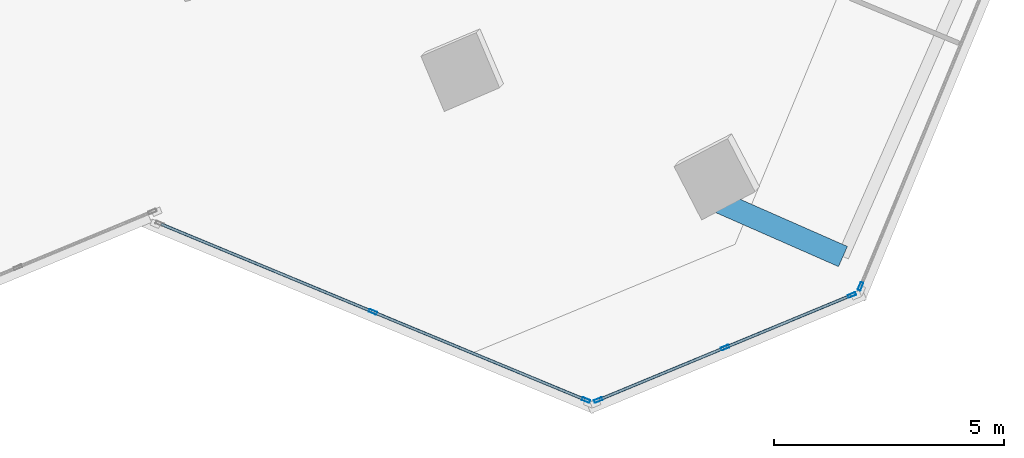
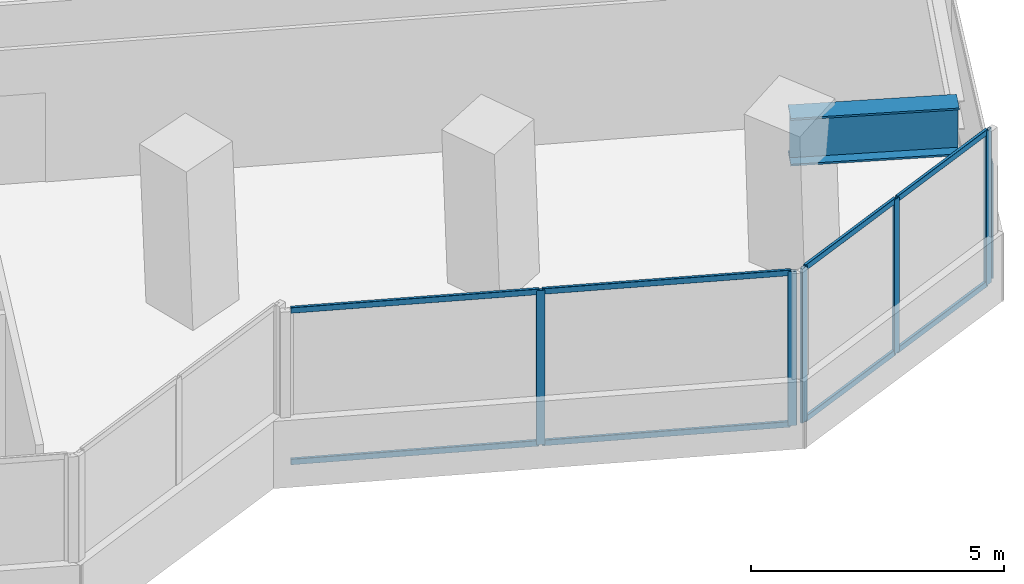
# One storey, part 7 of 23: 14 members, 1 beam, 3 elements without a shape of their own.
"""IFC4 building model written with IfcOpenShell, lengths in metres."""

from ifc_helpers import new_model, si_unit, direction, frame, origin, origin_2d, place, context, subcontext, project, spatial, hollow_rectangle, i_section, extrude, source, transform, mapped, material, material_profile, profile_set, type_object, element, aggregate, save


model = new_model("IFC4")

# Units and contexts
model_context = context("Model", 3, precision=1e-05, world=origin(), true_north=direction((0.0, 1.0)))
body_context = subcontext(model_context, "Body", "Model", "MODEL_VIEW")
ifc_project = project(units=[si_unit("LENGTHUNIT", "METRE"), si_unit("AREAUNIT", "SQUARE_METRE"), si_unit("VOLUMEUNIT", "CUBIC_METRE"), si_unit("PLANEANGLEUNIT", "RADIAN"), si_unit("MASSUNIT", "GRAM", prefix="KILO")], contexts=[model_context])

# Site, building, storey
site_placement = place(None, origin())
site = spatial("IfcSite", under=ifc_project, at=site_placement, CompositionType="ELEMENT")
building_placement = place(site_placement, origin())
building = spatial("IfcBuilding", under=site, at=building_placement, Name="Torre Montelarca", CompositionType="ELEMENT")
storey_placement = place(building_placement, frame((0.0, 0.0, 145.60009765625)))
storey = spatial("IfcBuildingStorey", under=building, at=storey_placement, Name="L32", CompositionType="ELEMENT", Elevation=145.60009765625)

# Beam
ifc_material_1 = material(Name="Steel ASTM A572 Grade 50", Category="steel")
ifc_material_profile_1 = material_profile(ifc_material_1, i_section(OverallWidth=0.47998046875, OverallDepth=1.14990234375, WebThickness=0.02197265625, FlangeThickness=0.044921875, at=origin_2d()), Name="PG1150X480X22X45", Category="steel")
ifc_profile_set_1 = profile_set([ifc_material_profile_1], Name="Steel ASTM A572 Grade 50")
beam_type = type_object("IfcBeamType", Name="BM-CG-PG1400-EXT", PredefinedType="USERDEFINED", material=ifc_profile_set_1)
shared_shape_1 = source(origin(), body_context, "Body", "SweptSolid", [
    extrude(i_section(OverallWidth=0.47998046875, OverallDepth=1.14990234375, WebThickness=0.02197265625, FlangeThickness=0.044921875, at=origin_2d()), origin(), (0.0, 0.0, 1.0), 3.35009765625),
])
beam_placement = place(storey_placement, frame((42.53369140625, 14.004638671875, 3.385009765625), z_axis=(0.915325777926, -0.402714191785, 0.0), x_axis=(0.402714191785, 0.915325777926, 0.0)))
element("IfcBeam", 1, at=beam_placement, inside=storey, type_object=beam_type, Name="L32 Sliding Tray Cantilever Girder East Y=24m (FLR)", ObjectType="CANTILEVER GIRDER", PredefinedType="USERDEFINED", context=body_context, shape_type="MappedRepresentation", body=[
    mapped(shared_shape_1, transform((0.0, 0.0, 0.0), scale=1.0)),
])

# Curtain wall, members
ifc_material_2 = material(Name="Insulated low-E laminated glass", Category="glass")
curtain_wall_type = type_object("IfcCurtainWallType", Name="CW-SYS-Z2", PredefinedType="USERDEFINED", material=ifc_material_2)
curtain_wall_1_placement = place(storey_placement, origin())
curtain_wall_1 = element("IfcCurtainWall", 2, at=curtain_wall_1_placement, inside=storey, type_object=curtain_wall_type, Name="L32 Curtain Wall Run CW-T3-L32-E05-B1", ObjectType="UNITISED GLAZING", PredefinedType="USERDEFINED")
ifc_material_3 = material(Name="Anodised aluminium AA 6063-T6", Category="aluminium")
ifc_material_profile_2 = material_profile(ifc_material_3, hollow_rectangle(XDim=0.06494140625, YDim=0.139892578125, WallThickness=0.00390625, InnerFilletRadius=0.00390625, OuterFilletRadius=0.008056640625, at=origin_2d()), Name="ALU65X140X4", Category="aluminium")
ifc_profile_set_2 = profile_set([ifc_material_profile_2], Name="Anodised aluminium AA 6063-T6")
member_type_1 = type_object("IfcMemberType", Name="CWT-ALU140", PredefinedType="USERDEFINED", material=ifc_profile_set_2)
shared_shape_2 = source(origin(), body_context, "Body", "SweptSolid", [
    extrude(hollow_rectangle(XDim=0.06494140625, YDim=0.139892578125, WallThickness=0.00390625, InnerFilletRadius=0.00390625, OuterFilletRadius=0.008056640625, at=origin_2d()), origin(), (0.0, 0.0, 1.0), 2.918701171875),
])
member_1_placement = place(storey_placement, frame((43.0673828125, 10.689208984375, 0.032470703125), z_axis=(0.923908773038, 0.382612831859, 0.0), x_axis=(-0.382612831859, 0.923908773038, 0.0)))
member_1 = element("IfcMember", 3, at=member_1_placement, type_object=member_type_1, Name="CW transom 2.1", ObjectType="TRANSOM", PredefinedType="USERDEFINED", context=body_context, shape_type="MappedRepresentation", body=[
    mapped(shared_shape_2, transform((0.0, 0.0, 0.0), scale=1.0)),
])
member_2_placement = place(storey_placement, frame((43.0673828125, 10.689208984375, 3.6875), z_axis=(0.923908773038, 0.382612831859, 0.0), x_axis=(-0.382612831859, 0.923908773038, 0.0)))
member_2 = element("IfcMember", 4, at=member_2_placement, type_object=member_type_1, Name="CW transom 2.2", ObjectType="TRANSOM", PredefinedType="USERDEFINED", context=body_context, shape_type="MappedRepresentation", body=[
    mapped(shared_shape_2, transform((0.0, 0.0, 0.0), scale=1.0)),
])
shared_shape_3 = source(origin(), body_context, "Body", "SweptSolid", [
    extrude(hollow_rectangle(XDim=0.06494140625, YDim=0.139892578125, WallThickness=0.00390625, InnerFilletRadius=0.00390625, OuterFilletRadius=0.008056640625, at=origin_2d()), origin(), (0.0, 0.0, 1.0), 2.91845703125),
])
member_3_placement = place(storey_placement, frame((40.31103515625, 9.54736328125, 0.032470703125), z_axis=(0.923866949915, 0.382713808028, 0.0), x_axis=(-0.382713808028, 0.923866949915, 0.0)))
member_3 = element("IfcMember", 5, at=member_3_placement, type_object=member_type_1, Name="CW transom 1.1", ObjectType="TRANSOM", PredefinedType="USERDEFINED", context=body_context, shape_type="MappedRepresentation", body=[
    mapped(shared_shape_3, transform((0.0, 0.0, 0.0), scale=1.0)),
])
member_4_placement = place(storey_placement, frame((40.31103515625, 9.54736328125, 3.6875), z_axis=(0.923866949915, 0.382713808028, 0.0), x_axis=(-0.382713808028, 0.923866949915, 0.0)))
member_4 = element("IfcMember", 6, at=member_4_placement, type_object=member_type_1, Name="CW transom 1.2", ObjectType="TRANSOM", PredefinedType="USERDEFINED", context=body_context, shape_type="MappedRepresentation", body=[
    mapped(shared_shape_3, transform((0.0, 0.0, 0.0), scale=1.0)),
])

curtain_wall_2_placement = place(storey_placement, origin())
curtain_wall_2 = element("IfcCurtainWall", 7, at=curtain_wall_2_placement, inside=storey, type_object=curtain_wall_type, Name="L32 Curtain Wall Run CW-T3-L32-E04-B1", ObjectType="UNITISED GLAZING", PredefinedType="USERDEFINED")
ifc_material_profile_3 = material_profile(ifc_material_3, hollow_rectangle(XDim=0.06494140625, YDim=0.179931640625, WallThickness=0.00390625, InnerFilletRadius=0.00390625, OuterFilletRadius=0.008056640625, at=origin_2d()), Name="ALU65X180X4", Category="aluminium")
ifc_profile_set_3 = profile_set([ifc_material_profile_3], Name="Anodised aluminium AA 6063-T6")
member_type_2 = type_object("IfcMemberType", Name="CWM-ALU180", PredefinedType="MULLION", material=ifc_profile_set_3)
shared_shape_4 = source(origin(), body_context, "Body", "SweptSolid", [
    extrude(hollow_rectangle(XDim=0.06494140625, YDim=0.179931640625, WallThickness=0.00390625, InnerFilletRadius=0.00390625, OuterFilletRadius=0.008056640625, at=origin_2d()), origin(), (0.0, 0.0, 1.0), 3.719970703125),
])
member_5_placement = place(storey_placement, frame((35.382080078125, 11.45361328125, 0.0), z_axis=(0.0, 0.0, 1.0), x_axis=(0.382671218228, 0.923884591678, 0.0)))
member_5 = element("IfcMember", 8, at=member_5_placement, type_object=member_type_2, Name="CW mullion 2", PredefinedType="MULLION", context=body_context, shape_type="MappedRepresentation", body=[
    mapped(shared_shape_4, transform((0.0, 0.0, 0.0), scale=1.0)),
])
member_6_placement = place(storey_placement, frame((40.013916015625, 9.53515625, 0.0), z_axis=(0.0, 0.0, 1.0), x_axis=(0.382671218228, 0.923884591678, 0.0)))
member_6 = element("IfcMember", 9, at=member_6_placement, type_object=member_type_2, Name="CW mullion 3", PredefinedType="MULLION", context=body_context, shape_type="MappedRepresentation", body=[
    mapped(shared_shape_4, transform((0.0, 0.0, 0.0), scale=1.0)),
])

# Member
member_7_placement = place(storey_placement, frame((40.281005859375, 9.53515625, 0.0), z_axis=(0.0, 0.0, 1.0), x_axis=(-0.382661697384, 0.923888535136, 0.0)))
member_7 = element("IfcMember", 10, at=member_7_placement, type_object=member_type_2, Name="CW mullion 1", PredefinedType="MULLION", context=body_context, shape_type="MappedRepresentation", body=[
    mapped(shared_shape_4, transform((0.0, 0.0, 0.0), scale=1.0)),
])

member_8_placement = place(storey_placement, frame((43.037353515625, 10.6767578125, 0.0), z_axis=(0.0, 0.0, 1.0), x_axis=(-0.382661697384, 0.923888535136, 0.0)))
member_8 = element("IfcMember", 11, at=member_8_placement, type_object=member_type_2, Name="CW mullion 2", PredefinedType="MULLION", context=body_context, shape_type="MappedRepresentation", body=[
    mapped(shared_shape_4, transform((0.0, 0.0, 0.0), scale=1.0)),
])

member_9_placement = place(storey_placement, frame((45.7939453125, 11.818359375, 0.0), z_axis=(0.0, 0.0, 1.0), x_axis=(-0.382661697384, 0.923888535136, 0.0)))
member_9 = element("IfcMember", 12, at=member_9_placement, type_object=member_type_2, Name="CW mullion 3", PredefinedType="MULLION", context=body_context, shape_type="MappedRepresentation", body=[
    mapped(shared_shape_4, transform((0.0, 0.0, 0.0), scale=1.0)),
])

aggregate(curtain_wall_1, [member_7, member_8, member_9, member_3, member_4, member_1, member_2])

# Curtain wall, member
curtain_wall_3_placement = place(storey_placement, origin())
curtain_wall_3 = element("IfcCurtainWall", 13, at=curtain_wall_3_placement, inside=storey, type_object=curtain_wall_type, Name="L32 Curtain Wall Run CW-T3-L32-E06-B1", ObjectType="UNITISED GLAZING", PredefinedType="USERDEFINED")
shared_shape_5 = source(origin(), body_context, "Body", "SweptSolid", [
    extrude(hollow_rectangle(XDim=0.06494140625, YDim=0.179931640625, WallThickness=0.00390625, InnerFilletRadius=0.00390625, OuterFilletRadius=0.008056640625, at=origin_2d()), origin(), (0.0, 0.0, 1.0), 2.77490234375),
])
member_10_placement = place(storey_placement, frame((45.98291015625, 12.00732421875, 0.0), z_axis=(0.0, 0.0, 1.0), x_axis=(-0.923881379508, 0.38267897329, 0.0)))
member_10 = element("IfcMember", 14, at=member_10_placement, type_object=member_type_2, Name="CW mullion 1", PredefinedType="MULLION", context=body_context, shape_type="MappedRepresentation", body=[
    mapped(shared_shape_5, transform((0.0, 0.0, 0.0), scale=1.0)),
])
aggregate(curtain_wall_3, [member_10])

# Member
shared_shape_6 = source(origin(), body_context, "Body", "SweptSolid", [
    extrude(hollow_rectangle(XDim=0.06494140625, YDim=0.139892578125, WallThickness=0.00390625, InnerFilletRadius=0.00390625, OuterFilletRadius=0.008056640625, at=origin_2d()), origin(), (0.0, 0.0, 1.0), 4.948486328125),
])
member_11_placement = place(storey_placement, frame((30.7802734375, 13.359619140625, 0.032470703125), z_axis=(0.923889355762, -0.382659716079, 0.0), x_axis=(0.382659716079, 0.923889355762, 0.0)))
member_11 = element("IfcMember", 15, at=member_11_placement, type_object=member_type_1, Name="CW transom 1.1", ObjectType="TRANSOM", PredefinedType="USERDEFINED", context=body_context, shape_type="MappedRepresentation", body=[
    mapped(shared_shape_6, transform((0.0, 0.0, 0.0), scale=1.0)),
])

member_12_placement = place(storey_placement, frame((30.7802734375, 13.359619140625, 3.6875), z_axis=(0.923889355762, -0.382659716079, 0.0), x_axis=(0.382659716079, 0.923889355762, 0.0)))
member_12 = element("IfcMember", 16, at=member_12_placement, type_object=member_type_1, Name="CW transom 1.2", ObjectType="TRANSOM", PredefinedType="USERDEFINED", context=body_context, shape_type="MappedRepresentation", body=[
    mapped(shared_shape_6, transform((0.0, 0.0, 0.0), scale=1.0)),
])

member_13_placement = place(storey_placement, frame((35.412109375, 11.441162109375, 0.032470703125), z_axis=(0.923871912675, -0.382701827759, 0.0), x_axis=(0.382701827759, 0.923871912675, 0.0)))
member_13 = element("IfcMember", 17, at=member_13_placement, type_object=member_type_1, Name="CW transom 2.1", ObjectType="TRANSOM", PredefinedType="USERDEFINED", context=body_context, shape_type="MappedRepresentation", body=[
    mapped(shared_shape_6, transform((0.0, 0.0, 0.0), scale=1.0)),
])

member_14_placement = place(storey_placement, frame((35.412109375, 11.441162109375, 3.6875), z_axis=(0.923871912675, -0.382701827759, 0.0), x_axis=(0.382701827759, 0.923871912675, 0.0)))
member_14 = element("IfcMember", 18, at=member_14_placement, type_object=member_type_1, Name="CW transom 2.2", ObjectType="TRANSOM", PredefinedType="USERDEFINED", context=body_context, shape_type="MappedRepresentation", body=[
    mapped(shared_shape_6, transform((0.0, 0.0, 0.0), scale=1.0)),
])

aggregate(curtain_wall_2, [member_5, member_6, member_11, member_12, member_13, member_14])

save(model, "model.ifc")
